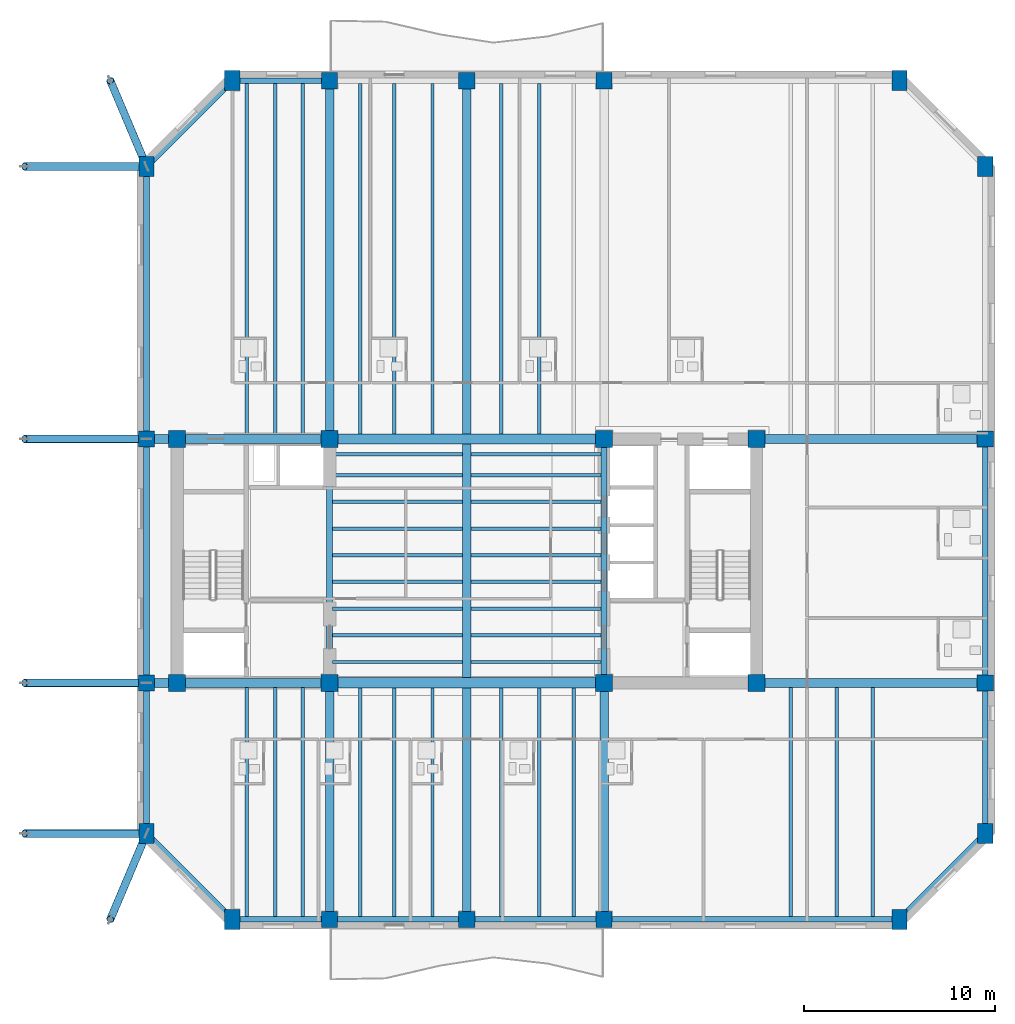
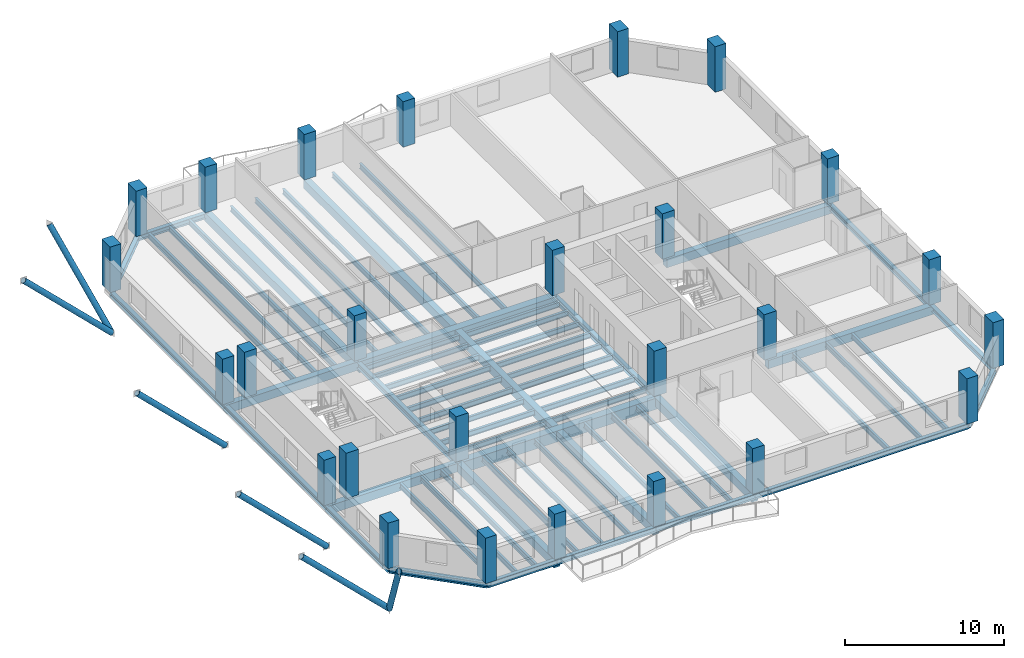
# One storey, part 1 of 13: 65 beams, 26 columns, 6 members.
"""IFC4 building model written with IfcOpenShell, lengths in metres."""

import ifcopenshell
import ifcopenshell.guid

model = None  # the IFC model being written
_history = None  # IfcOwnerHistory: only IFC2X3 demands one
_inside = {}  # id of a spatial element -> (the spatial element, [elements in it])
_under = {}  # id of a project, library or spatial element -> (it, [spatial elements below it])
_declared = {}  # id of a project -> (the project, [libraries it declares])
_typed = {}  # id of a type object -> (the type object, [elements of that type])
_made_of = {}  # id of a material, layer set ... -> (it, [elements and type objects made of it])


def new_model(schema):
    """Start an empty IFC model of exactly this schema.

    Asked for "IFC4X3", IfcOpenShell would pick the latest addendum, in which some entities
    have other attributes; the version numbers below select the first issue.
    IFC2X3 requires an IfcOwnerHistory on every rooted entity: one is made here for all.
    """
    global model, _history
    if schema == "IFC4X3":
        model = ifcopenshell.file(schema_version=(4, 3, 0, 0))
    else:
        model = ifcopenshell.file(schema=schema)
    _inside.clear()
    _under.clear()
    _declared.clear()
    _typed.clear()
    _made_of.clear()
    _history = None
    if model.schema == "IFC2X3":
        org = make("IfcOrganization", Name="unknown")
        user = make(
            "IfcPersonAndOrganization",
            ThePerson=make("IfcPerson", FamilyName="unknown"),
            TheOrganization=org,
        )
        app = make(
            "IfcApplication",
            ApplicationDeveloper=org,
            Version="unknown",
            ApplicationFullName="unknown",
            ApplicationIdentifier="unknown",
        )
        _history = make(
            "IfcOwnerHistory",
            OwningUser=user,
            OwningApplication=app,
            ChangeAction="ADDED",
            CreationDate=0,
        )
    return model


def make(cls, **values):
    """One entity of the class cls with the attributes given. An attribute that is None is left unset."""
    return model.create_entity(
        cls, **{name: value for name, value in values.items() if value is not None}
    )


def rooted(cls, **values):
    """An entity with a GlobalId (a new one), such as an element, a storey or a relation."""
    return make(cls, GlobalId=ifcopenshell.guid.new(), OwnerHistory=_history, **values)


def si_unit(unit_type, name, prefix=None):
    """IfcSIUnit, for example si_unit("LENGTHUNIT", "METRE", prefix="MILLI")."""
    return make("IfcSIUnit", UnitType=unit_type, Prefix=prefix, Name=name)


def assignment(units):
    """IfcUnitAssignment: the units of a project."""
    return None if units is None else make("IfcUnitAssignment", Units=units)


def point(xyz):
    """IfcCartesianPoint."""
    return None if xyz is None else make("IfcCartesianPoint", Coordinates=xyz)


def direction(xyz):
    """IfcDirection."""
    return None if xyz is None else make("IfcDirection", DirectionRatios=xyz)


def frame(location, z_axis=None, x_axis=None):
    """IfcAxis2Placement3D, a coordinate frame: its origin and axes. An axis left out is left unset."""
    return make(
        "IfcAxis2Placement3D",
        Location=point(location),
        Axis=direction(z_axis),
        RefDirection=direction(x_axis),
    )


def frame_2d(location, x_axis=None):
    """IfcAxis2Placement2D, a coordinate frame in the plane: its origin and x axis."""
    return make(
        "IfcAxis2Placement2D", Location=point(location), RefDirection=direction(x_axis)
    )


def origin():
    """The frame at (0, 0, 0) with its axes left unset."""
    return frame((0.0, 0.0, 0.0))


def origin_2d():
    """The frame at (0, 0) in the plane with its x axis left unset."""
    return frame_2d((0.0, 0.0))


def place(relative_to, where):
    """IfcLocalPlacement: puts the frame where relative to a parent placement (None: the world)."""
    return make(
        "IfcLocalPlacement", PlacementRelTo=relative_to, RelativePlacement=where
    )


def context(
    kind, dimensions, precision=None, world=None, true_north=None, identifier=None
):
    """IfcGeometricRepresentationContext, for example the 3D "Model" context."""
    return make(
        "IfcGeometricRepresentationContext",
        ContextIdentifier=identifier,
        ContextType=kind,
        CoordinateSpaceDimension=dimensions,
        Precision=precision,
        WorldCoordinateSystem=world,
        TrueNorth=true_north,
    )


def subcontext(parent, identifier, kind, view, scale=None):
    """IfcGeometricRepresentationSubContext, for example "Body" below "Model"."""
    return make(
        "IfcGeometricRepresentationSubContext",
        ContextIdentifier=identifier,
        ContextType=kind,
        ParentContext=parent,
        TargetScale=scale,
        TargetView=view,
    )


def project(units=None, contexts=None):
    """IfcProject with its units and contexts."""
    return rooted(
        "IfcProject",
        Name="project",
        RepresentationContexts=contexts,
        UnitsInContext=assignment(units),
    )


def spatial(cls, under=None, at=None, **own):
    """A site, building, storey or space (cls), placed at a placement, below another one or the project."""
    s = rooted(cls, ObjectPlacement=at, **own)
    if under is not None:
        _under.setdefault(under.id(), (under, []))[1].append(s)
    return s


def profile(cls, at=None, kind="AREA", **sizes):
    """A parametric profile (cls). Its sizes go by their IFC names, for example OverallWidth=200.0."""
    return make(cls, ProfileType=kind, Position=at, **sizes)


def rectangle(**sizes):
    """IfcRectangleProfileDef."""
    return profile("IfcRectangleProfileDef", **sizes)


def hollow_circle(**sizes):
    """IfcCircleHollowProfileDef."""
    return profile("IfcCircleHollowProfileDef", **sizes)


def i_section(**sizes):
    """IfcIShapeProfileDef."""
    return profile("IfcIShapeProfileDef", **sizes)


def extrude(swept, where, along, depth):
    """IfcExtrudedAreaSolid: the profile swept, set in the frame where, extruded along a direction by depth."""
    return make(
        "IfcExtrudedAreaSolid",
        SweptArea=swept,
        Position=where,
        ExtrudedDirection=direction(along),
        Depth=depth,
    )


def shape(context_of_items, identifier, shape_type, items):
    """IfcShapeRepresentation: the items that make up one representation, for example the "Body"."""
    return make(
        "IfcShapeRepresentation",
        ContextOfItems=context_of_items,
        RepresentationIdentifier=identifier,
        RepresentationType=shape_type,
        Items=items,
    )


def material(Name=None, Category=None):
    """IfcMaterial."""
    return make("IfcMaterial", Name=Name, Category=Category)


def material_profile(
    of_material, cross_section, Name=None, Category=None, Priority=None
):
    """IfcMaterialProfile: a cross section and its material."""
    return make(
        "IfcMaterialProfile",
        Name=Name,
        Material=of_material,
        Profile=cross_section,
        Priority=Priority,
        Category=Category,
    )


def profile_set(profiles, Name=None, composite=None):
    """IfcMaterialProfileSet."""
    return make(
        "IfcMaterialProfileSet",
        Name=Name,
        MaterialProfiles=profiles,
        CompositeProfile=composite,
    )


def made_of(thing, what):
    """Note that an element or type object is made of a material, layer set ...; save() writes the relation."""
    if what is not None:
        _made_of.setdefault(what.id(), (what, []))[1].append(thing)
    return thing


def type_object(cls, material=None, **own):
    """A type object (cls), such as IfcWallType, which elements share."""
    return made_of(rooted(cls, **own), material)


def element(
    cls,
    number,
    at=None,
    inside=None,
    cuts=None,
    type_object=None,
    material=None,
    context=None,
    identifier="Body",
    shape_type=None,
    held_by="IfcProductDefinitionShape",
    body=None,
    shapes=None,
    **own,
):
    """One element of the class cls, such as IfcWall. Its Tag is "e" and its number.

    at: its placement. inside: the storey or other place that contains it. cuts: it is an
    opening in that element (IfcRelVoidsElement). A single representation is given by context,
    identifier, shape_type and body (its items); several are given by shapes. held_by: the class
    of the entity that holds the representations. save() writes the other relations.
    """
    e = rooted(cls, Tag="e%d" % number, ObjectPlacement=at, **own)
    if body is not None:
        shapes = [shape(context, identifier, shape_type, body)]
    if shapes is not None:
        e.Representation = make(held_by, Representations=shapes)
    if inside is not None:
        _inside.setdefault(inside.id(), (inside, []))[1].append(e)
    if cuts is not None:
        rooted(
            "IfcRelVoidsElement", RelatingBuildingElement=cuts, RelatedOpeningElement=e
        )
    if type_object is not None:
        _typed.setdefault(type_object.id(), (type_object, []))[1].append(e)
    return made_of(e, material)


def aggregate(whole, parts):
    """IfcRelAggregates: a whole, such as a stair, and the parts it consists of."""
    return rooted("IfcRelAggregates", RelatingObject=whole, RelatedObjects=parts)


def save(model, path):
    """Write the relations noted so far, then the file.

    IfcRelAggregates (storeys below a building ...), IfcRelContainedInSpatialStructure (elements
    in a storey), IfcRelDefinesByType, IfcRelAssociatesMaterial and IfcRelDeclares: one each for
    every whole, place, type object, material and project.
    """
    for whole, parts in _under.values():
        aggregate(whole, parts)
    for where, things in _inside.values():
        rooted(
            "IfcRelContainedInSpatialStructure",
            RelatedElements=things,
            RelatingStructure=where,
        )
    for kind, things in _typed.values():
        rooted("IfcRelDefinesByType", RelatedObjects=things, RelatingType=kind)
    for what, things in _made_of.values():
        rooted("IfcRelAssociatesMaterial", RelatedObjects=things, RelatingMaterial=what)
    for by, libraries in _declared.values():
        rooted("IfcRelDeclares", RelatingContext=by, RelatedDefinitions=libraries)
    model.write(path)


model = new_model("IFC4")

# Units and contexts
model_context = context("Model", 3, precision=1e-05, world=origin(), true_north=direction((0.0, 1.0)))
body_context = subcontext(model_context, "Body", "Model", "MODEL_VIEW")
ifc_project = project(units=[si_unit("LENGTHUNIT", "METRE"), si_unit("AREAUNIT", "SQUARE_METRE"), si_unit("VOLUMEUNIT", "CUBIC_METRE"), si_unit("PLANEANGLEUNIT", "RADIAN"), si_unit("MASSUNIT", "GRAM", prefix="KILO")], contexts=[model_context])

# Site, building, storey
site_placement = place(None, origin())
site = spatial("IfcSite", under=ifc_project, at=site_placement, CompositionType="ELEMENT")
building_placement = place(site_placement, origin())
building = spatial("IfcBuilding", under=site, at=building_placement, Name="Kranthara Brick Stack", CompositionType="ELEMENT")
storey_placement = place(building_placement, frame((0.0, 0.0, 179.800048828125)))
storey = spatial("IfcBuildingStorey", under=building, at=storey_placement, Name="L46", CompositionType="ELEMENT", Elevation=179.800048828125)

# Columns
ifc_material_1 = material(Name="Concrete C60/75", Category="concrete")
ifc_material_profile_1 = material_profile(ifc_material_1, rectangle(XDim=0.800048828125, YDim=1.050048828125, at=origin_2d()), Name="RC 800x1050")
ifc_profile_set_1 = profile_set([ifc_material_profile_1], Name="Concrete C60/75")
column_type_1 = type_object("IfcColumnType", Name="COL-CHAM-800x1050", PredefinedType="COLUMN", material=ifc_profile_set_1)
for number, where, z_axis, x_axis, name in (
    (1, (15.699951171875, 8.39990234375, 0.0), (0.0, 0.0, 1.0), (1.0, 0.0, 0.0), "L46 Column 09"),
    (2, (15.699951171875, 52.39990234375, 0.0), (0.0, 0.0, 1.0), (1.0, 0.0, 0.0), "L46 Column 10"),
    (3, (50.699951171875, 8.39990234375, 0.0), (0.0, 0.0, 1.0), (1.0, 0.0, 0.0), "L46 Column 17"),
    (4, (50.699951171875, 52.39990234375, 0.0), (0.0, 0.0, 1.0), (1.0, 0.0, 0.0), "L46 Column 18"),
    (5, (11.199951171875, 12.89990234375, 0.0), (0.0, 0.0, 1.0), (1.0, 0.0, 0.0), "L46 Column 19"),
    (6, (55.199951171875, 12.89990234375, 0.0), (0.0, 0.0, 1.0), (1.0, 0.0, 0.0), "L46 Column 20"),
    (7, (11.199951171875, 47.89990234375, 0.0), (0.0, 0.0, 1.0), (1.0, 0.0, 0.0), "L46 Column 25"),
    (8, (55.199951171875, 47.89990234375, 0.0), (0.0, 0.0, 1.0), (1.0, 0.0, 0.0), "L46 Column 26"),
):
    element("IfcColumn", number, at=place(storey_placement, frame(where, z_axis=z_axis, x_axis=x_axis)), inside=storey, type_object=column_type_1, Name=name, PredefinedType="COLUMN", context=body_context, shape_type="SweptSolid", body=[
        extrude(rectangle(XDim=0.800048828125, YDim=1.050048828125, at=origin_2d()), origin(), (0.0, 0.0, 1.0), 3.5),
    ])
ifc_material_2 = material(Name="Concrete C60/75", Category="concrete")
ifc_material_profile_2 = material_profile(ifc_material_2, rectangle(XDim=0.89990234375, YDim=0.89990234375, at=origin_2d()), Name="RC 900x900")
ifc_profile_set_2 = profile_set([ifc_material_profile_2], Name="Concrete C60/75")
column_type_2 = type_object("IfcColumnType", Name="COL-CORE-900", PredefinedType="COLUMN", material=ifc_profile_set_2)
for number, where, z_axis, x_axis, name in (
    (9, (12.800048828125, 20.800048828125, 0.0), (0.0, 0.0, 1.0), (1.0, 0.0, 0.0), "L46 Column 01"),
    (10, (20.800048828125, 20.800048828125, 0.0), (0.0, 0.0, 1.0), (1.0, 0.0, 0.0), "L46 Column 02"),
    (11, (12.800048828125, 33.60009765625, 0.0), (0.0, 0.0, 1.0), (1.0, 0.0, 0.0), "L46 Column 03"),
    (12, (20.800048828125, 33.60009765625, 0.0), (0.0, 0.0, 1.0), (1.0, 0.0, 0.0), "L46 Column 04"),
    (13, (35.199951171875, 20.800048828125, 0.0), (0.0, 0.0, 1.0), (1.0, 0.0, 0.0), "L46 Column 05"),
    (14, (43.199951171875, 20.800048828125, 0.0), (0.0, 0.0, 1.0), (1.0, 0.0, 0.0), "L46 Column 06"),
    (15, (35.199951171875, 33.60009765625, 0.0), (0.0, 0.0, 1.0), (1.0, 0.0, 0.0), "L46 Column 07"),
    (16, (43.199951171875, 33.60009765625, 0.0), (0.0, 0.0, 1.0), (1.0, 0.0, 0.0), "L46 Column 08"),
):
    element("IfcColumn", number, at=place(storey_placement, frame(where, z_axis=z_axis, x_axis=x_axis)), inside=storey, type_object=column_type_2, Name=name, PredefinedType="COLUMN", context=body_context, shape_type="SweptSolid", body=[
        extrude(rectangle(XDim=0.89990234375, YDim=0.89990234375, at=origin_2d()), origin(), (0.0, 0.0, 1.0), 3.5),
    ])
ifc_material_3 = material(Name="Concrete C50/60", Category="concrete")
ifc_material_profile_3 = material_profile(ifc_material_3, rectangle(XDim=0.85009765625, YDim=0.85009765625, at=origin_2d()), Name="RC 850x850")
ifc_profile_set_3 = profile_set([ifc_material_profile_3], Name="Concrete C50/60")
column_type_3 = type_object("IfcColumnType", Name="COL-PER-850", PredefinedType="COLUMN", material=ifc_profile_set_3)
for number, where, z_axis, x_axis, name in (
    (17, (20.800048828125, 8.39990234375, 0.0), (0.0, 0.0, 1.0), (1.0, 0.0, 0.0), "L46 Column 11"),
    (18, (20.800048828125, 52.39990234375, 0.0), (0.0, 0.0, 1.0), (1.0, 0.0, 0.0), "L46 Column 12"),
    (19, (28.0, 8.39990234375, 0.0), (0.0, 0.0, 1.0), (1.0, 0.0, 0.0), "L46 Column 13"),
    (20, (28.0, 52.39990234375, 0.0), (0.0, 0.0, 1.0), (1.0, 0.0, 0.0), "L46 Column 14"),
    (21, (35.199951171875, 8.39990234375, 0.0), (0.0, 0.0, 1.0), (1.0, 0.0, 0.0), "L46 Column 15"),
    (22, (35.199951171875, 52.39990234375, 0.0), (0.0, 0.0, 1.0), (1.0, 0.0, 0.0), "L46 Column 16"),
    (23, (11.199951171875, 20.800048828125, 0.0), (0.0, 0.0, 1.0), (1.0, 0.0, 0.0), "L46 Column 21"),
    (24, (55.199951171875, 20.800048828125, 0.0), (0.0, 0.0, 1.0), (1.0, 0.0, 0.0), "L46 Column 22"),
    (25, (11.199951171875, 33.60009765625, 0.0), (0.0, 0.0, 1.0), (1.0, 0.0, 0.0), "L46 Column 23"),
    (26, (55.199951171875, 33.60009765625, 0.0), (0.0, 0.0, 1.0), (1.0, 0.0, 0.0), "L46 Column 24"),
):
    element("IfcColumn", number, at=place(storey_placement, frame(where, z_axis=z_axis, x_axis=x_axis)), inside=storey, type_object=column_type_3, Name=name, PredefinedType="COLUMN", context=body_context, shape_type="SweptSolid", body=[
        extrude(rectangle(XDim=0.85009765625, YDim=0.85009765625, at=origin_2d()), origin(), (0.0, 0.0, 1.0), 3.5),
    ])

# Beams
ifc_material_4 = material(Name="Concrete C50/60", Category="concrete")
ifc_material_profile_4 = material_profile(ifc_material_4, rectangle(XDim=0.550048828125, YDim=0.85009765625, at=origin_2d()), Name="RC 550x850")
ifc_profile_set_4 = profile_set([ifc_material_profile_4], Name="Concrete C50/60")
beam_type_1 = type_object("IfcBeamType", Name="BM-CPL-RC850", PredefinedType="LINTEL", material=ifc_profile_set_4)
for number, where, z_axis, x_axis, name in (
    (27, (20.800048828125, 20.800048828125, -0.72509765625), (1.0, 0.0, 0.0), (0.0, 1.0, 0.0), "L46 Core Coupling Beam 001"),
    (28, (20.800048828125, 33.60009765625, -0.72509765625), (1.0, 0.0, 0.0), (0.0, 1.0, 0.0), "L46 Core Coupling Beam 002"),
):
    element("IfcBeam", number, at=place(storey_placement, frame(where, z_axis=z_axis, x_axis=x_axis)), inside=storey, type_object=beam_type_1, Name=name, PredefinedType="LINTEL", context=body_context, shape_type="SweptSolid", body=[
        extrude(rectangle(XDim=0.550048828125, YDim=0.85009765625, at=origin_2d()), origin(), (0.0, 0.0, 1.0), 14.39990234375),
    ])
ifc_material_5 = material(Name="Post-tensioned concrete C45/55", Category="concrete")
ifc_material_profile_5 = material_profile(ifc_material_5, rectangle(XDim=0.449951171875, YDim=0.64990234375, at=origin_2d()), Name="PT 450x650")
ifc_profile_set_5 = profile_set([ifc_material_profile_5], Name="Post-tensioned concrete C45/55")
beam_type_2 = type_object("IfcBeamType", Name="BM-FLR-PT650", PredefinedType="BEAM", material=ifc_profile_set_5)
beam_1_placement = place(storey_placement, frame((20.800048828125, 8.39990234375, -0.625), z_axis=(0.0, 1.0, 0.0), x_axis=(-1.0, 0.0, 0.0)))
element("IfcBeam", 29, at=beam_1_placement, inside=storey, type_object=beam_type_2, Name="L46 Primary Grid Girder 023", PredefinedType="BEAM", context=body_context, shape_type="SweptSolid", body=[
    extrude(rectangle(XDim=0.449951171875, YDim=0.64990234375, at=origin_2d()), origin(), (0.0, 0.0, 1.0), 12.400146484375),
])
beam_2_placement = place(storey_placement, frame((20.800048828125, 33.60009765625, -0.625), z_axis=(0.0, 1.0, 0.0), x_axis=(-1.0, 0.0, 0.0)))
element("IfcBeam", 30, at=beam_2_placement, inside=storey, type_object=beam_type_2, Name="L46 Primary Grid Girder 024", PredefinedType="BEAM", context=body_context, shape_type="SweptSolid", body=[
    extrude(rectangle(XDim=0.449951171875, YDim=0.64990234375, at=origin_2d()), origin(), (0.0, 0.0, 1.0), 18.7998046875),
])
beam_3_placement = place(storey_placement, frame((28.0, 8.39990234375, -0.625), z_axis=(0.0, 1.0, 0.0), x_axis=(-1.0, 0.0, 0.0)))
element("IfcBeam", 31, at=beam_3_placement, inside=storey, type_object=beam_type_2, Name="L46 Primary Grid Girder 025", PredefinedType="BEAM", context=body_context, shape_type="SweptSolid", body=[
    extrude(rectangle(XDim=0.449951171875, YDim=0.64990234375, at=origin_2d()), origin(), (0.0, 0.0, 1.0), 12.125),
])
beam_4_placement = place(storey_placement, frame((28.0, 21.074951171875, -0.625), z_axis=(0.0, 1.0, 0.0), x_axis=(-1.0, 0.0, 0.0)))
element("IfcBeam", 32, at=beam_4_placement, inside=storey, type_object=beam_type_2, Name="L46 Central Spine Girder 026", PredefinedType="BEAM", context=body_context, shape_type="SweptSolid", body=[
    extrude(rectangle(XDim=0.449951171875, YDim=0.64990234375, at=origin_2d()), origin(), (0.0, 0.0, 1.0), 12.25),
])
beam_5_placement = place(storey_placement, frame((28.0, 33.875, -0.625), z_axis=(0.0, 1.0, 0.0), x_axis=(-1.0, 0.0, 0.0)))
element("IfcBeam", 33, at=beam_5_placement, inside=storey, type_object=beam_type_2, Name="L46 Primary Grid Girder 027", PredefinedType="BEAM", context=body_context, shape_type="SweptSolid", body=[
    extrude(rectangle(XDim=0.449951171875, YDim=0.64990234375, at=origin_2d()), origin(), (0.0, 0.0, 1.0), 18.52490234375),
])
beam_6_placement = place(storey_placement, frame((35.199951171875, 8.39990234375, -0.625), z_axis=(0.0, 1.0, 0.0), x_axis=(-1.0, 0.0, 0.0)))
element("IfcBeam", 34, at=beam_6_placement, inside=storey, type_object=beam_type_2, Name="L46 Primary Grid Girder 028", PredefinedType="BEAM", context=body_context, shape_type="SweptSolid", body=[
    extrude(rectangle(XDim=0.449951171875, YDim=0.64990234375, at=origin_2d()), origin(), (0.0, 0.0, 1.0), 12.400146484375),
])
beam_7_placement = place(storey_placement, frame((11.199951171875, 20.800048828125, -0.625), z_axis=(1.0, 0.0, 0.0), x_axis=(0.0, 1.0, 0.0)))
element("IfcBeam", 35, at=beam_7_placement, inside=storey, type_object=beam_type_2, Name="L46 Primary Grid Girder 030", PredefinedType="BEAM", context=body_context, shape_type="SweptSolid", body=[
    extrude(rectangle(XDim=0.449951171875, YDim=0.64990234375, at=origin_2d()), origin(), (0.0, 0.0, 1.0), 9.60009765625),
])
beam_8_placement = place(storey_placement, frame((43.199951171875, 20.800048828125, -0.625), z_axis=(1.0, 0.0, 0.0), x_axis=(0.0, 1.0, 0.0)))
element("IfcBeam", 36, at=beam_8_placement, inside=storey, type_object=beam_type_2, Name="L46 Primary Grid Girder 031", PredefinedType="BEAM", context=body_context, shape_type="SweptSolid", body=[
    extrude(rectangle(XDim=0.449951171875, YDim=0.64990234375, at=origin_2d()), origin(), (0.0, 0.0, 1.0), 12.0),
])
beam_9_placement = place(storey_placement, frame((11.199951171875, 33.60009765625, -0.625), z_axis=(1.0, 0.0, 0.0), x_axis=(0.0, 1.0, 0.0)))
element("IfcBeam", 37, at=beam_9_placement, inside=storey, type_object=beam_type_2, Name="L46 Primary Grid Girder 032", PredefinedType="BEAM", context=body_context, shape_type="SweptSolid", body=[
    extrude(rectangle(XDim=0.449951171875, YDim=0.64990234375, at=origin_2d()), origin(), (0.0, 0.0, 1.0), 9.60009765625),
])
beam_10_placement = place(storey_placement, frame((43.199951171875, 33.60009765625, -0.625), z_axis=(1.0, 0.0, 0.0), x_axis=(0.0, 1.0, 0.0)))
element("IfcBeam", 38, at=beam_10_placement, inside=storey, type_object=beam_type_2, Name="L46 Primary Grid Girder 033", PredefinedType="BEAM", context=body_context, shape_type="SweptSolid", body=[
    extrude(rectangle(XDim=0.449951171875, YDim=0.64990234375, at=origin_2d()), origin(), (0.0, 0.0, 1.0), 12.0),
])
ifc_material_6 = material(Name="Steel S355", Category="steel")
ifc_material_profile_6 = material_profile(ifc_material_6, i_section(OverallWidth=0.179931640625, OverallDepth=0.39990234375, WebThickness=0.008544921875, FlangeThickness=0.013427734375, at=origin_2d()), Name="IPE 400")
ifc_profile_set_6 = profile_set([ifc_material_profile_6], Name="Steel S355")
beam_type_3 = type_object("IfcBeamType", Name="BM-JST-IPE400", PredefinedType="JOIST", material=ifc_profile_set_6)
for number, where, z_axis, x_axis, name in (
    (39, (20.949951171875, 21.89990234375, -0.5), (1.0, 0.0, 0.0), (0.0, 1.0, 0.0), "L46 Central Floor Joist 034"),
    (40, (28.22509765625, 21.89990234375, -0.5), (1.0, 0.0, 0.0), (0.0, 1.0, 0.0), "L46 Central Floor Joist 035"),
    (41, (20.949951171875, 23.300048828125, -0.5), (1.0, 0.0, 0.0), (0.0, 1.0, 0.0), "L46 Central Floor Joist 036"),
    (42, (28.22509765625, 23.300048828125, -0.5), (1.0, 0.0, 0.0), (0.0, 1.0, 0.0), "L46 Central Floor Joist 037"),
    (43, (20.949951171875, 24.699951171875, -0.5), (1.0, 0.0, 0.0), (0.0, 1.0, 0.0), "L46 Central Floor Joist 038"),
    (44, (28.22509765625, 24.699951171875, -0.5), (1.0, 0.0, 0.0), (0.0, 1.0, 0.0), "L46 Central Floor Joist 039"),
    (45, (20.949951171875, 26.10009765625, -0.5), (1.0, 0.0, 0.0), (0.0, 1.0, 0.0), "L46 Central Floor Joist 040"),
    (46, (28.22509765625, 26.10009765625, -0.5), (1.0, 0.0, 0.0), (0.0, 1.0, 0.0), "L46 Central Floor Joist 041"),
    (47, (20.949951171875, 27.5, -0.5), (1.0, 0.0, 0.0), (0.0, 1.0, 0.0), "L46 Central Floor Joist 042"),
    (48, (28.22509765625, 27.5, -0.5), (1.0, 0.0, 0.0), (0.0, 1.0, 0.0), "L46 Central Floor Joist 043"),
    (49, (20.949951171875, 28.89990234375, -0.5), (1.0, 0.0, 0.0), (0.0, 1.0, 0.0), "L46 Central Floor Joist 044"),
    (50, (28.22509765625, 28.89990234375, -0.5), (1.0, 0.0, 0.0), (0.0, 1.0, 0.0), "L46 Central Floor Joist 045"),
    (51, (20.949951171875, 30.300048828125, -0.5), (1.0, 0.0, 0.0), (0.0, 1.0, 0.0), "L46 Central Floor Joist 046"),
    (52, (28.22509765625, 30.300048828125, -0.5), (1.0, 0.0, 0.0), (0.0, 1.0, 0.0), "L46 Central Floor Joist 047"),
    (53, (20.949951171875, 31.699951171875, -0.5), (1.0, 0.0, 0.0), (0.0, 1.0, 0.0), "L46 Central Floor Joist 048"),
    (54, (28.22509765625, 31.699951171875, -0.5), (1.0, 0.0, 0.0), (0.0, 1.0, 0.0), "L46 Central Floor Joist 049"),
    (55, (20.949951171875, 32.800048828125, -0.5), (1.0, 0.0, 0.0), (0.0, 1.0, 0.0), "L46 Central Floor Joist 050"),
    (56, (28.22509765625, 32.800048828125, -0.5), (1.0, 0.0, 0.0), (0.0, 1.0, 0.0), "L46 Central Floor Joist 051"),
):
    element("IfcBeam", number, at=place(storey_placement, frame(where, z_axis=z_axis, x_axis=x_axis)), inside=storey, type_object=beam_type_3, Name=name, PredefinedType="JOIST", context=body_context, shape_type="SweptSolid", body=[
        extrude(i_section(OverallWidth=0.179931640625, OverallDepth=0.39990234375, WebThickness=0.008544921875, FlangeThickness=0.013427734375, at=origin_2d()), origin(), (0.0, 0.0, 1.0), 6.824951171875),
    ])
beam_11_placement = place(storey_placement, frame((16.449951171875, 8.550048828125, -0.5), z_axis=(0.0, 1.0, 0.0), x_axis=(-1.0, 0.0, 0.0)))
element("IfcBeam", 57, at=beam_11_placement, inside=storey, type_object=beam_type_3, Name="L46 South Wing Floor Joist 052", PredefinedType="JOIST", context=body_context, shape_type="SweptSolid", body=[
    extrude(i_section(OverallWidth=0.179931640625, OverallDepth=0.39990234375, WebThickness=0.008544921875, FlangeThickness=0.013427734375, at=origin_2d()), origin(), (0.0, 0.0, 1.0), 12.02490234375),
])
beam_12_placement = place(storey_placement, frame((16.449951171875, 33.824951171875, -0.5), z_axis=(0.0, 1.0, 0.0), x_axis=(-1.0, 0.0, 0.0)))
element("IfcBeam", 58, at=beam_12_placement, inside=storey, type_object=beam_type_3, Name="L46 North Wing Floor Joist 053", PredefinedType="JOIST", context=body_context, shape_type="SweptSolid", body=[
    extrude(i_section(OverallWidth=0.179931640625, OverallDepth=0.39990234375, WebThickness=0.008544921875, FlangeThickness=0.013427734375, at=origin_2d()), origin(), (0.0, 0.0, 1.0), 18.425048828125),
])
beam_13_placement = place(storey_placement, frame((17.949951171875, 8.550048828125, -0.5), z_axis=(0.0, 1.0, 0.0), x_axis=(-1.0, 0.0, 0.0)))
element("IfcBeam", 59, at=beam_13_placement, inside=storey, type_object=beam_type_3, Name="L46 South Wing Floor Joist 054", PredefinedType="JOIST", context=body_context, shape_type="SweptSolid", body=[
    extrude(i_section(OverallWidth=0.179931640625, OverallDepth=0.39990234375, WebThickness=0.008544921875, FlangeThickness=0.013427734375, at=origin_2d()), origin(), (0.0, 0.0, 1.0), 12.02490234375),
])
beam_14_placement = place(storey_placement, frame((17.949951171875, 33.824951171875, -0.5), z_axis=(0.0, 1.0, 0.0), x_axis=(-1.0, 0.0, 0.0)))
element("IfcBeam", 60, at=beam_14_placement, inside=storey, type_object=beam_type_3, Name="L46 North Wing Floor Joist 055", PredefinedType="JOIST", context=body_context, shape_type="SweptSolid", body=[
    extrude(i_section(OverallWidth=0.179931640625, OverallDepth=0.39990234375, WebThickness=0.008544921875, FlangeThickness=0.013427734375, at=origin_2d()), origin(), (0.0, 0.0, 1.0), 18.425048828125),
])
beam_15_placement = place(storey_placement, frame((19.39990234375, 8.550048828125, -0.5), z_axis=(0.0, 1.0, 0.0), x_axis=(-1.0, 0.0, 0.0)))
element("IfcBeam", 61, at=beam_15_placement, inside=storey, type_object=beam_type_3, Name="L46 South Wing Floor Joist 056", PredefinedType="JOIST", context=body_context, shape_type="SweptSolid", body=[
    extrude(i_section(OverallWidth=0.179931640625, OverallDepth=0.39990234375, WebThickness=0.008544921875, FlangeThickness=0.013427734375, at=origin_2d()), origin(), (0.0, 0.0, 1.0), 12.02490234375),
])
beam_16_placement = place(storey_placement, frame((19.39990234375, 33.824951171875, -0.5), z_axis=(0.0, 1.0, 0.0), x_axis=(-1.0, 0.0, 0.0)))
element("IfcBeam", 62, at=beam_16_placement, inside=storey, type_object=beam_type_3, Name="L46 North Wing Floor Joist 057", PredefinedType="JOIST", context=body_context, shape_type="SweptSolid", body=[
    extrude(i_section(OverallWidth=0.179931640625, OverallDepth=0.39990234375, WebThickness=0.008544921875, FlangeThickness=0.013427734375, at=origin_2d()), origin(), (0.0, 0.0, 1.0), 18.425048828125),
])
beam_17_placement = place(storey_placement, frame((22.39990234375, 8.550048828125, -0.5), z_axis=(0.0, 1.0, 0.0), x_axis=(-1.0, 0.0, 0.0)))
element("IfcBeam", 63, at=beam_17_placement, inside=storey, type_object=beam_type_3, Name="L46 South Wing Floor Joist 058", PredefinedType="JOIST", context=body_context, shape_type="SweptSolid", body=[
    extrude(i_section(OverallWidth=0.179931640625, OverallDepth=0.39990234375, WebThickness=0.008544921875, FlangeThickness=0.013427734375, at=origin_2d()), origin(), (0.0, 0.0, 1.0), 11.974853515625),
])
beam_18_placement = place(storey_placement, frame((22.39990234375, 33.875, -0.5), z_axis=(0.0, 1.0, 0.0), x_axis=(-1.0, 0.0, 0.0)))
element("IfcBeam", 64, at=beam_18_placement, inside=storey, type_object=beam_type_3, Name="L46 North Wing Floor Joist 059", PredefinedType="JOIST", context=body_context, shape_type="SweptSolid", body=[
    extrude(i_section(OverallWidth=0.179931640625, OverallDepth=0.39990234375, WebThickness=0.008544921875, FlangeThickness=0.013427734375, at=origin_2d()), origin(), (0.0, 0.0, 1.0), 18.375),
])
beam_19_placement = place(storey_placement, frame((24.199951171875, 8.550048828125, -0.5), z_axis=(0.0, 1.0, 0.0), x_axis=(-1.0, 0.0, 0.0)))
element("IfcBeam", 65, at=beam_19_placement, inside=storey, type_object=beam_type_3, Name="L46 South Wing Floor Joist 060", PredefinedType="JOIST", context=body_context, shape_type="SweptSolid", body=[
    extrude(i_section(OverallWidth=0.179931640625, OverallDepth=0.39990234375, WebThickness=0.008544921875, FlangeThickness=0.013427734375, at=origin_2d()), origin(), (0.0, 0.0, 1.0), 11.974853515625),
])
beam_20_placement = place(storey_placement, frame((24.199951171875, 33.875, -0.5), z_axis=(0.0, 1.0, 0.0), x_axis=(-1.0, 0.0, 0.0)))
element("IfcBeam", 66, at=beam_20_placement, inside=storey, type_object=beam_type_3, Name="L46 North Wing Floor Joist 061", PredefinedType="JOIST", context=body_context, shape_type="SweptSolid", body=[
    extrude(i_section(OverallWidth=0.179931640625, OverallDepth=0.39990234375, WebThickness=0.008544921875, FlangeThickness=0.013427734375, at=origin_2d()), origin(), (0.0, 0.0, 1.0), 18.375),
])
beam_21_placement = place(storey_placement, frame((26.199951171875, 8.550048828125, -0.5), z_axis=(0.0, 1.0, 0.0), x_axis=(-1.0, 0.0, 0.0)))
element("IfcBeam", 67, at=beam_21_placement, inside=storey, type_object=beam_type_3, Name="L46 South Wing Floor Joist 062", PredefinedType="JOIST", context=body_context, shape_type="SweptSolid", body=[
    extrude(i_section(OverallWidth=0.179931640625, OverallDepth=0.39990234375, WebThickness=0.008544921875, FlangeThickness=0.013427734375, at=origin_2d()), origin(), (0.0, 0.0, 1.0), 11.974853515625),
])
beam_22_placement = place(storey_placement, frame((26.199951171875, 33.875, -0.5), z_axis=(0.0, 1.0, 0.0), x_axis=(-1.0, 0.0, 0.0)))
element("IfcBeam", 68, at=beam_22_placement, inside=storey, type_object=beam_type_3, Name="L46 North Wing Floor Joist 063", PredefinedType="JOIST", context=body_context, shape_type="SweptSolid", body=[
    extrude(i_section(OverallWidth=0.179931640625, OverallDepth=0.39990234375, WebThickness=0.008544921875, FlangeThickness=0.013427734375, at=origin_2d()), origin(), (0.0, 0.0, 1.0), 18.375),
])
beam_23_placement = place(storey_placement, frame((29.800048828125, 8.550048828125, -0.5), z_axis=(0.0, 1.0, 0.0), x_axis=(-1.0, 0.0, 0.0)))
element("IfcBeam", 69, at=beam_23_placement, inside=storey, type_object=beam_type_3, Name="L46 South Wing Floor Joist 064", PredefinedType="JOIST", context=body_context, shape_type="SweptSolid", body=[
    extrude(i_section(OverallWidth=0.179931640625, OverallDepth=0.39990234375, WebThickness=0.008544921875, FlangeThickness=0.013427734375, at=origin_2d()), origin(), (0.0, 0.0, 1.0), 11.974853515625),
])
beam_24_placement = place(storey_placement, frame((29.800048828125, 33.875, -0.5), z_axis=(0.0, 1.0, 0.0), x_axis=(-1.0, 0.0, 0.0)))
element("IfcBeam", 70, at=beam_24_placement, inside=storey, type_object=beam_type_3, Name="L46 North Wing Floor Joist 065", PredefinedType="JOIST", context=body_context, shape_type="SweptSolid", body=[
    extrude(i_section(OverallWidth=0.179931640625, OverallDepth=0.39990234375, WebThickness=0.008544921875, FlangeThickness=0.013427734375, at=origin_2d()), origin(), (0.0, 0.0, 1.0), 18.375),
])
beam_25_placement = place(storey_placement, frame((31.800048828125, 8.550048828125, -0.5), z_axis=(0.0, 1.0, 0.0), x_axis=(-1.0, 0.0, 0.0)))
element("IfcBeam", 71, at=beam_25_placement, inside=storey, type_object=beam_type_3, Name="L46 South Wing Floor Joist 066", PredefinedType="JOIST", context=body_context, shape_type="SweptSolid", body=[
    extrude(i_section(OverallWidth=0.179931640625, OverallDepth=0.39990234375, WebThickness=0.008544921875, FlangeThickness=0.013427734375, at=origin_2d()), origin(), (0.0, 0.0, 1.0), 11.974853515625),
])
beam_26_placement = place(storey_placement, frame((31.800048828125, 33.875, -0.5), z_axis=(0.0, 1.0, 0.0), x_axis=(-1.0, 0.0, 0.0)))
element("IfcBeam", 72, at=beam_26_placement, inside=storey, type_object=beam_type_3, Name="L46 North Wing Floor Joist 067", PredefinedType="JOIST", context=body_context, shape_type="SweptSolid", body=[
    extrude(i_section(OverallWidth=0.179931640625, OverallDepth=0.39990234375, WebThickness=0.008544921875, FlangeThickness=0.013427734375, at=origin_2d()), origin(), (0.0, 0.0, 1.0), 18.375),
])
beam_27_placement = place(storey_placement, frame((33.60009765625, 8.550048828125, -0.5), z_axis=(0.0, 1.0, 0.0), x_axis=(-1.0, 0.0, 0.0)))
element("IfcBeam", 73, at=beam_27_placement, inside=storey, type_object=beam_type_3, Name="L46 South Wing Floor Joist 068", PredefinedType="JOIST", context=body_context, shape_type="SweptSolid", body=[
    extrude(i_section(OverallWidth=0.179931640625, OverallDepth=0.39990234375, WebThickness=0.008544921875, FlangeThickness=0.013427734375, at=origin_2d()), origin(), (0.0, 0.0, 1.0), 11.974853515625),
])
for number, where, z_axis, x_axis, name in (
    (74, (45.0, 8.550048828125, -0.5), (0.0, 1.0, 0.0), (-1.0, 0.0, 0.0), "L46 South Wing Floor Joist 070"),
    (75, (47.39990234375, 8.550048828125, -0.5), (0.0, 1.0, 0.0), (-1.0, 0.0, 0.0), "L46 South Wing Floor Joist 072"),
    (76, (49.300048828125, 8.550048828125, -0.5), (0.0, 1.0, 0.0), (-1.0, 0.0, 0.0), "L46 South Wing Floor Joist 074"),
):
    element("IfcBeam", number, at=place(storey_placement, frame(where, z_axis=z_axis, x_axis=x_axis)), inside=storey, type_object=beam_type_3, Name=name, PredefinedType="JOIST", context=body_context, shape_type="SweptSolid", body=[
        extrude(i_section(OverallWidth=0.179931640625, OverallDepth=0.39990234375, WebThickness=0.008544921875, FlangeThickness=0.013427734375, at=origin_2d()), origin(), (0.0, 0.0, 1.0), 12.02490234375),
    ])
ifc_material_7 = material(Name="Steel S355", Category="steel")
ifc_material_profile_7 = material_profile(ifc_material_7, i_section(OverallWidth=0.300048828125, OverallDepth=0.39990234375, WebThickness=0.013427734375, FlangeThickness=0.02392578125, at=origin_2d()), Name="HEB 400")
ifc_profile_set_7 = profile_set([ifc_material_profile_7], Name="Steel S355")
beam_type_4 = type_object("IfcBeamType", Name="BM-STL-HEB400", PredefinedType="SPANDREL", material=ifc_profile_set_7)
beam_28_placement = place(storey_placement, frame((15.699951171875, 8.39990234375, -0.5), z_axis=(1.0, 0.0, 0.0), x_axis=(0.0, 1.0, 0.0)))
element("IfcBeam", 77, at=beam_28_placement, inside=storey, type_object=beam_type_4, Name="L46 Perimeter Spandrel Beam 005", PredefinedType="SPANDREL", context=body_context, shape_type="SweptSolid", body=[
    extrude(i_section(OverallWidth=0.300048828125, OverallDepth=0.39990234375, WebThickness=0.013427734375, FlangeThickness=0.02392578125, at=origin_2d()), origin(), (0.0, 0.0, 1.0), 5.10009765625),
])
for number, where, z_axis, x_axis, name in (
    (78, (20.800048828125, 8.39990234375, -0.5), (1.0, 0.0, 0.0), (0.0, 1.0, 0.0), "L46 Perimeter Spandrel Beam 006"),
    (79, (28.0, 8.39990234375, -0.5), (1.0, 0.0, 0.0), (0.0, 1.0, 0.0), "L46 Perimeter Spandrel Beam 007"),
):
    element("IfcBeam", number, at=place(storey_placement, frame(where, z_axis=z_axis, x_axis=x_axis)), inside=storey, type_object=beam_type_4, Name=name, PredefinedType="SPANDREL", context=body_context, shape_type="SweptSolid", body=[
        extrude(i_section(OverallWidth=0.300048828125, OverallDepth=0.39990234375, WebThickness=0.013427734375, FlangeThickness=0.02392578125, at=origin_2d()), origin(), (0.0, 0.0, 1.0), 7.199951171875),
    ])
beam_29_placement = place(storey_placement, frame((35.199951171875, 8.39990234375, -0.5), z_axis=(1.0, 0.0, 0.0), x_axis=(0.0, 1.0, 0.0)))
element("IfcBeam", 80, at=beam_29_placement, inside=storey, type_object=beam_type_4, Name="L46 Perimeter Spandrel Beam 008", PredefinedType="SPANDREL", context=body_context, shape_type="SweptSolid", body=[
    extrude(i_section(OverallWidth=0.300048828125, OverallDepth=0.39990234375, WebThickness=0.013427734375, FlangeThickness=0.02392578125, at=origin_2d()), origin(), (0.0, 0.0, 1.0), 15.5),
])
beam_30_placement = place(storey_placement, frame((15.699951171875, 52.39990234375, -0.5), z_axis=(1.0, 0.0, 0.0), x_axis=(0.0, 1.0, 0.0)))
element("IfcBeam", 81, at=beam_30_placement, inside=storey, type_object=beam_type_4, Name="L46 Perimeter Spandrel Beam 009", PredefinedType="SPANDREL", context=body_context, shape_type="SweptSolid", body=[
    extrude(i_section(OverallWidth=0.300048828125, OverallDepth=0.39990234375, WebThickness=0.013427734375, FlangeThickness=0.02392578125, at=origin_2d()), origin(), (0.0, 0.0, 1.0), 5.10009765625),
])
beam_31_placement = place(storey_placement, frame((11.199951171875, 12.89990234375, -0.5), z_axis=(0.0, 1.0, 0.0), x_axis=(-1.0, 0.0, 0.0)))
element("IfcBeam", 82, at=beam_31_placement, inside=storey, type_object=beam_type_4, Name="L46 Perimeter Spandrel Beam 013", PredefinedType="SPANDREL", context=body_context, shape_type="SweptSolid", body=[
    extrude(i_section(OverallWidth=0.300048828125, OverallDepth=0.39990234375, WebThickness=0.013427734375, FlangeThickness=0.02392578125, at=origin_2d()), origin(), (0.0, 0.0, 1.0), 7.900146484375),
])
beam_32_placement = place(storey_placement, frame((11.199951171875, 20.800048828125, -0.5), z_axis=(0.0, 1.0, 0.0), x_axis=(-1.0, 0.0, 0.0)))
element("IfcBeam", 83, at=beam_32_placement, inside=storey, type_object=beam_type_4, Name="L46 Perimeter Spandrel Beam 014", PredefinedType="SPANDREL", context=body_context, shape_type="SweptSolid", body=[
    extrude(i_section(OverallWidth=0.300048828125, OverallDepth=0.39990234375, WebThickness=0.013427734375, FlangeThickness=0.02392578125, at=origin_2d()), origin(), (0.0, 0.0, 1.0), 12.800048828125),
])
beam_33_placement = place(storey_placement, frame((11.199951171875, 33.60009765625, -0.5), z_axis=(0.0, 1.0, 0.0), x_axis=(-1.0, 0.0, 0.0)))
element("IfcBeam", 84, at=beam_33_placement, inside=storey, type_object=beam_type_4, Name="L46 Perimeter Spandrel Beam 015", PredefinedType="SPANDREL", context=body_context, shape_type="SweptSolid", body=[
    extrude(i_section(OverallWidth=0.300048828125, OverallDepth=0.39990234375, WebThickness=0.013427734375, FlangeThickness=0.02392578125, at=origin_2d()), origin(), (0.0, 0.0, 1.0), 14.2998046875),
])
beam_34_placement = place(storey_placement, frame((55.199951171875, 12.89990234375, -0.5), z_axis=(0.0, 1.0, 0.0), x_axis=(-1.0, 0.0, 0.0)))
element("IfcBeam", 85, at=beam_34_placement, inside=storey, type_object=beam_type_4, Name="L46 Perimeter Spandrel Beam 016", PredefinedType="SPANDREL", context=body_context, shape_type="SweptSolid", body=[
    extrude(i_section(OverallWidth=0.300048828125, OverallDepth=0.39990234375, WebThickness=0.013427734375, FlangeThickness=0.02392578125, at=origin_2d()), origin(), (0.0, 0.0, 1.0), 7.900146484375),
])
beam_35_placement = place(storey_placement, frame((55.199951171875, 20.800048828125, -0.5), z_axis=(0.0, 1.0, 0.0), x_axis=(-1.0, 0.0, 0.0)))
element("IfcBeam", 86, at=beam_35_placement, inside=storey, type_object=beam_type_4, Name="L46 Perimeter Spandrel Beam 017", PredefinedType="SPANDREL", context=body_context, shape_type="SweptSolid", body=[
    extrude(i_section(OverallWidth=0.300048828125, OverallDepth=0.39990234375, WebThickness=0.013427734375, FlangeThickness=0.02392578125, at=origin_2d()), origin(), (0.0, 0.0, 1.0), 12.800048828125),
])
for number, where, z_axis, x_axis, name in (
    (87, (15.699951171875, 8.39990234375, -0.5), (-0.707106781187, 0.707106781187, 0.0), (-0.707106781187, -0.707106781187, 0.0), "L46 Chamfer Corner Spandrel 019"),
    (88, (50.699951171875, 8.39990234375, -0.5), (0.707106781187, 0.707106781187, 0.0), (-0.707106781187, 0.707106781187, 0.0), "L46 Chamfer Corner Spandrel 020"),
    (89, (15.699951171875, 52.39990234375, -0.5), (-0.707106781187, -0.707106781187, 0.0), (0.707106781187, -0.707106781187, 0.0), "L46 Chamfer Corner Spandrel 021"),
):
    element("IfcBeam", number, at=place(storey_placement, frame(where, z_axis=z_axis, x_axis=x_axis)), inside=storey, type_object=beam_type_4, Name=name, PredefinedType="SPANDREL", context=body_context, shape_type="SweptSolid", body=[
        extrude(i_section(OverallWidth=0.300048828125, OverallDepth=0.39990234375, WebThickness=0.013427734375, FlangeThickness=0.02392578125, at=origin_2d()), origin(), (0.0, 0.0, 1.0), 6.364013671875),
    ])
ifc_material_8 = material(Name="Steel S355", Category="steel")
ifc_material_profile_8 = material_profile(ifc_material_8, i_section(OverallWidth=0.300048828125, OverallDepth=0.449951171875, WebThickness=0.013916015625, FlangeThickness=0.02587890625, at=origin_2d()), Name="HEB 450")
ifc_profile_set_8 = profile_set([ifc_material_profile_8], Name="Steel S355")
beam_type_5 = type_object("IfcBeamType", Name="BM-STL-HEB450", PredefinedType="SPANDREL", material=ifc_profile_set_8)
for number, where, z_axis, x_axis, name in (
    (90, (20.800048828125, 20.800048828125, -0.525146484375), (0.0, 1.0, 0.0), (-1.0, 0.0, 0.0), "L46 Core Edge Tie Beam 003"),
    (91, (35.199951171875, 20.800048828125, -0.525146484375), (0.0, 1.0, 0.0), (-1.0, 0.0, 0.0), "L46 Core Edge Tie Beam 004"),
):
    element("IfcBeam", number, at=place(storey_placement, frame(where, z_axis=z_axis, x_axis=x_axis)), inside=storey, type_object=beam_type_5, Name=name, PredefinedType="SPANDREL", context=body_context, shape_type="SweptSolid", body=[
        extrude(i_section(OverallWidth=0.300048828125, OverallDepth=0.449951171875, WebThickness=0.013916015625, FlangeThickness=0.02587890625, at=origin_2d()), origin(), (0.0, 0.0, 1.0), 12.800048828125),
    ])

# Members
ifc_material_9 = material(Name="Steel S460", Category="steel")
ifc_material_profile_9 = material_profile(ifc_material_9, hollow_circle(Radius=0.203125, WallThickness=0.02001953125, at=origin_2d()), Name="CHS 406.4x20")
ifc_profile_set_9 = profile_set([ifc_material_profile_9], Name="Steel S460")
member_type = type_object("IfcMemberType", Name="MB-STR-CHS406", PredefinedType="STRUT", material=ifc_profile_set_9)
for number, where, z_axis, x_axis, name in (
    (92, (11.199951171875, 12.89990234375, -3.5), (-0.239513266873, -0.567297421614, 0.787913085576), (0.921256725392, -0.388955069282, 0.0), "L47 Jenga Raked Transfer Strut 40"),
    (93, (11.199951171875, 47.89990234375, -3.5), (-0.239513266873, 0.567297421614, 0.787913085576), (-0.921256725392, -0.388955069282, 0.0), "L47 Jenga Raked Transfer Strut 41"),
):
    element("IfcMember", number, at=place(storey_placement, frame(where, z_axis=z_axis, x_axis=x_axis)), inside=storey, type_object=member_type, Name=name, PredefinedType="STRUT", context=body_context, shape_type="SweptSolid", body=[
        extrude(hollow_circle(Radius=0.203125, WallThickness=0.02001953125, at=origin_2d()), origin(), (0.0, 0.0, 1.0), 7.932373046875),
    ])
for number, where, z_axis, x_axis, name in (
    (94, (11.199951171875, 12.89990234375, -3.5), (-0.715435821946, 0.0, 0.698678455856), (0.0, -1.0, 0.0), "L47 Jenga Raked Transfer Strut 42"),
    (95, (11.199951171875, 20.800048828125, -3.5), (-0.715435821946, 0.0, 0.698678455856), (0.0, -1.0, 0.0), "L47 Jenga Raked Transfer Strut 43"),
    (96, (11.199951171875, 33.60009765625, -3.5), (-0.715435821946, 0.0, 0.698678455856), (0.0, -1.0, 0.0), "L47 Jenga Raked Transfer Strut 44"),
    (97, (11.199951171875, 47.89990234375, -3.5), (-0.715435821946, 0.0, 0.698678455856), (0.0, -1.0, 0.0), "L47 Jenga Raked Transfer Strut 45"),
):
    element("IfcMember", number, at=place(storey_placement, frame(where, z_axis=z_axis, x_axis=x_axis)), inside=storey, type_object=member_type, Name=name, PredefinedType="STRUT", context=body_context, shape_type="SweptSolid", body=[
        extrude(hollow_circle(Radius=0.203125, WallThickness=0.02001953125, at=origin_2d()), origin(), (0.0, 0.0, 1.0), 8.945556640625),
    ])

save(model, "model.ifc")
